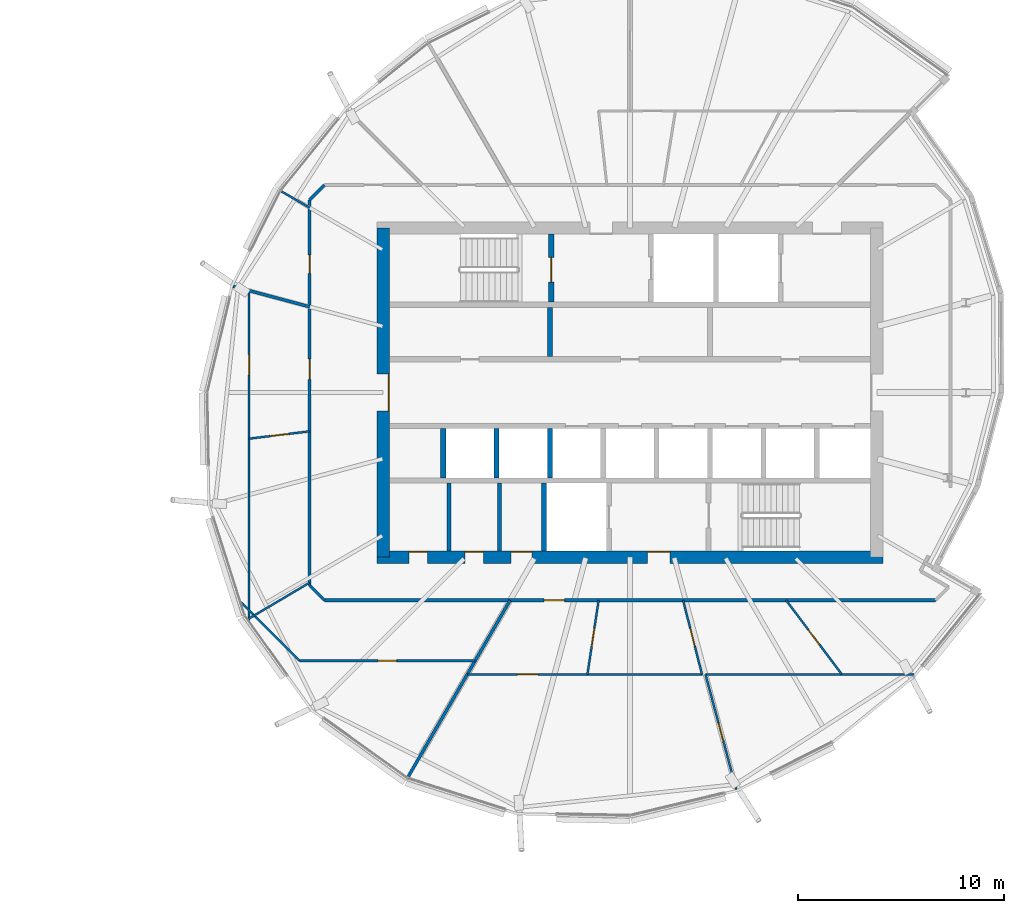
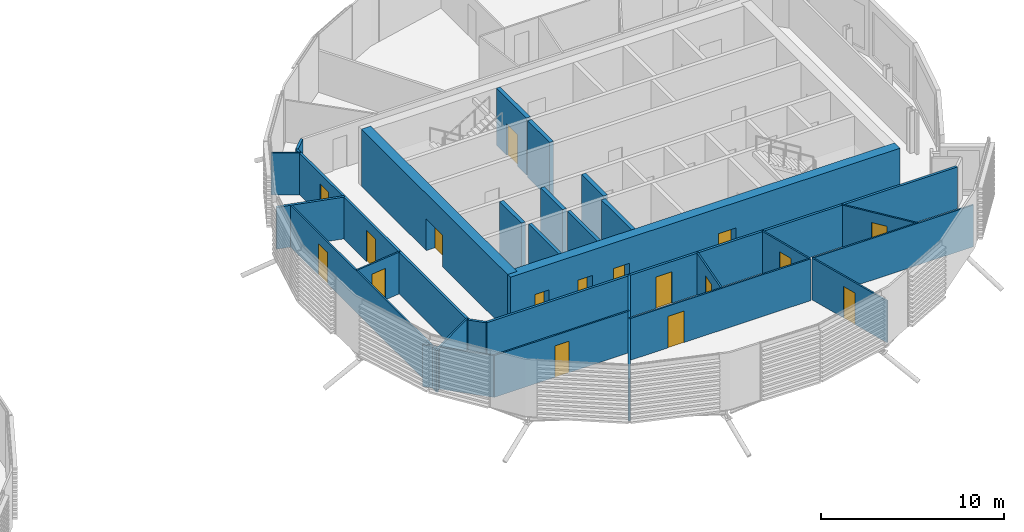
# One storey, part 22 of 38: 28 walls, 17 doors, 17 openings.
"""IFC4 building model written with IfcOpenShell, lengths in metres."""

from ifc_helpers import new_model, si_unit, direction, frame, frame_2d, origin, place, context, subcontext, project, spatial, rectangle, extrude, material, layer, layer_set, type_object, element, fill, save


model = new_model("IFC4")

# Units and contexts
model_context = context("Model", 3, precision=1e-05, world=origin(), true_north=direction((0.0, 1.0)))
body_context = subcontext(model_context, "Body", "Model", "MODEL_VIEW")
ifc_project = project(units=[si_unit("LENGTHUNIT", "METRE"), si_unit("AREAUNIT", "SQUARE_METRE"), si_unit("VOLUMEUNIT", "CUBIC_METRE"), si_unit("PLANEANGLEUNIT", "RADIAN"), si_unit("MASSUNIT", "GRAM", prefix="KILO")], contexts=[model_context])

# Site, building, storey
site_placement = place(None, origin())
site = spatial("IfcSite", under=ifc_project, at=site_placement, CompositionType="ELEMENT")
building_placement = place(site_placement, origin())
building = spatial("IfcBuilding", under=site, at=building_placement, Name="Rimbun Link Towers", CompositionType="ELEMENT")
storey_placement = place(building_placement, frame((0.0, 0.0, 185.5)))
storey = spatial("IfcBuildingStorey", under=building, at=storey_placement, Name="L45", CompositionType="ELEMENT", Elevation=185.5)

# Walls
ifc_material_1 = material(Name="Masonry blockwork", Category="masonry")
ifc_layer_1 = layer(ifc_material_1, 0.199951171875)
ifc_layer_set_1 = layer_set([ifc_layer_1], Name="Core partition 200")
wall_type_1 = type_object("IfcWallType", Name="Core partition 200", PredefinedType="PARTITIONING", material=ifc_layer_set_1)
for number, where, z_axis, x_axis, name in (
    (1, (22.949951171875, -4.39990234375, 0.0), (0.0, 0.0, 1.0), (0.0, -1.0, 0.0), "L45 T2 core wall C1"),
    (2, (25.39990234375, -4.39990234375, 0.0), (0.0, 0.0, 1.0), (0.0, -1.0, 0.0), "L45 T2 core wall C2"),
):
    element("IfcWall", number, at=place(storey_placement, frame(where, z_axis=z_axis, x_axis=x_axis)), inside=storey, type_object=wall_type_1, Name=name, PredefinedType="PARTITIONING", context=body_context, shape_type="SweptSolid", body=[
        extrude(rectangle(XDim=3.300048828125, YDim=0.199951171875, at=frame_2d((1.64990234375, 0.0))), origin(), (0.0, 0.0, 1.0), 3.800048828125),
    ])

# Wall, openings, doors
ifc_material_2 = material(Name="Concrete C60/75", Category="concrete")
ifc_layer_2 = layer(ifc_material_2, 0.60009765625)
ifc_layer_set_2 = layer_set([ifc_layer_2], Name="Core shear wall 600")
wall_type_2 = type_object("IfcWallType", Name="Core shear wall 600", PredefinedType="SHEAR", material=ifc_layer_set_2)
wall_1_placement = place(storey_placement, frame((19.449951171875, -8.0, 0.0), z_axis=(0.0, 0.0, 1.0), x_axis=(1.0, 0.0, 0.0)))
wall_1 = element("IfcWall", 3, at=wall_1_placement, inside=storey, type_object=wall_type_2, Name="L45 T2 core wall S", PredefinedType="SHEAR", context=body_context, shape_type="SweptSolid", body=[
    extrude(rectangle(XDim=24.60009765625, YDim=0.60009765625, at=frame_2d((12.300048828125, 0.0))), origin(), (0.0, 0.0, 1.0), 3.800048828125),
])
opening_1_placement = place(wall_1_placement, frame((13.14990234375, 0.0, 0.0)))
opening_1 = element("IfcOpeningElement", 4, at=opening_1_placement, cuts=wall_1, Name="Opening C2DCF01S", PredefinedType="OPENING", context=body_context, shape_type="SweptSolid", body=[
    extrude(rectangle(XDim=1.10009765625, YDim=2.10009765625, at=frame_2d((0.550048828125, 1.050048828125))), frame((0.0, 0.31005859375, 0.0), z_axis=(0.0, -1.0, 0.0), x_axis=(1.0, 0.0, 0.0)), (0.0, 0.0, 1.0), 0.6201171875),
])
opening_2_placement = place(wall_1_placement, frame((1.550048828125, 0.0, 0.0)))
opening_2 = element("IfcOpeningElement", 5, at=opening_2_placement, cuts=wall_1, Name="Opening C2DWC02S", PredefinedType="OPENING", context=body_context, shape_type="SweptSolid", body=[
    extrude(rectangle(XDim=0.89990234375, YDim=2.10009765625, at=frame_2d((0.449951171875, 1.050048828125))), frame((0.0, 0.31005859375, 0.0), z_axis=(0.0, -1.0, 0.0), x_axis=(1.0, 0.0, 0.0)), (0.0, 0.0, 1.0), 0.6201171875),
])
opening_3_placement = place(wall_1_placement, frame((4.27490234375, 0.0, 0.0)))
opening_3 = element("IfcOpeningElement", 6, at=opening_3_placement, cuts=wall_1, Name="Opening C2DWC03S", PredefinedType="OPENING", context=body_context, shape_type="SweptSolid", body=[
    extrude(rectangle(XDim=0.89990234375, YDim=2.10009765625, at=frame_2d((0.449951171875, 1.050048828125))), frame((0.0, 0.31005859375, 0.0), z_axis=(0.0, -1.0, 0.0), x_axis=(1.0, 0.0, 0.0)), (0.0, 0.0, 1.0), 0.6201171875),
])
opening_4_placement = place(wall_1_placement, frame((6.52490234375, 0.0, 0.0)))
opening_4 = element("IfcOpeningElement", 7, at=opening_4_placement, cuts=wall_1, Name="Opening C2DAW04S", PredefinedType="OPENING", context=body_context, shape_type="SweptSolid", body=[
    extrude(rectangle(XDim=1.0, YDim=2.10009765625, at=frame_2d((0.5, 1.050048828125))), frame((0.0, 0.31005859375, 0.0), z_axis=(0.0, -1.0, 0.0), x_axis=(1.0, 0.0, 0.0)), (0.0, 0.0, 1.0), 0.6201171875),
])
ifc_material_3 = material(Name="Timber", Category="wood")
door_type_1 = type_object("IfcDoorType", Name="Accessible WC door", OperationType="SINGLE_SWING_LEFT", PredefinedType="DOOR", material=ifc_material_3)
door_1_placement = place(opening_4_placement, origin())
door_1 = element("IfcDoor", 8, at=door_1_placement, inside=storey, type_object=door_type_1, Name="L45 T2 accessible wc door", OperationType="SINGLE_SWING_RIGHT", OverallHeight=2.10009765625, OverallWidth=1.0, PredefinedType="DOOR", context=body_context, shape_type="SweptSolid", body=[
    extrude(rectangle(XDim=1.0, YDim=2.10009765625, at=frame_2d((0.5, 1.050048828125))), frame((0.0, 0.2998046875, 0.0), z_axis=(0.0, -1.0, 0.0), x_axis=(1.0, 0.0, 0.0)), (0.0, 0.0, 1.0), 0.050048828125),
])
fill(opening_4, door_1)
ifc_material_4 = material(Name="Steel fire door set", Category="steel")
door_type_2 = type_object("IfcDoorType", Name="Core fire door single", OperationType="SINGLE_SWING_LEFT", PredefinedType="DOOR", material=ifc_material_4)
door_2_placement = place(opening_1_placement, origin())
door_2 = element("IfcDoor", 9, at=door_2_placement, inside=storey, type_object=door_type_2, Name="L45 T2 firefighting lobby s door", OperationType="SINGLE_SWING_LEFT", OverallHeight=2.10009765625, OverallWidth=1.10009765625, PredefinedType="DOOR", context=body_context, shape_type="SweptSolid", body=[
    extrude(rectangle(XDim=1.10009765625, YDim=2.10009765625, at=frame_2d((0.550048828125, 1.050048828125))), frame((0.0, 0.2998046875, 0.0), z_axis=(0.0, -1.0, 0.0), x_axis=(1.0, 0.0, 0.0)), (0.0, 0.0, 1.0), 0.050048828125),
])
fill(opening_1, door_2)
ifc_material_5 = material(Name="Timber", Category="wood")
door_type_3 = type_object("IfcDoorType", Name="WC door", OperationType="SINGLE_SWING_LEFT", PredefinedType="DOOR", material=ifc_material_5)
door_3_placement = place(opening_2_placement, origin())
door_3 = element("IfcDoor", 10, at=door_3_placement, inside=storey, type_object=door_type_3, Name="L45 T2 male wc door", OperationType="SINGLE_SWING_RIGHT", OverallHeight=2.10009765625, OverallWidth=0.89990234375, PredefinedType="DOOR", context=body_context, shape_type="SweptSolid", body=[
    extrude(rectangle(XDim=0.89990234375, YDim=2.10009765625, at=frame_2d((0.449951171875, 1.050048828125))), frame((0.0, 0.2998046875, 0.0), z_axis=(0.0, -1.0, 0.0), x_axis=(1.0, 0.0, 0.0)), (0.0, 0.0, 1.0), 0.050048828125),
])
fill(opening_2, door_3)
door_4_placement = place(opening_3_placement, origin())
door_4 = element("IfcDoor", 11, at=door_4_placement, inside=storey, type_object=door_type_3, Name="L45 T2 female wc door", OperationType="SINGLE_SWING_RIGHT", OverallHeight=2.10009765625, OverallWidth=0.89990234375, PredefinedType="DOOR", context=body_context, shape_type="SweptSolid", body=[
    extrude(rectangle(XDim=0.89990234375, YDim=2.10009765625, at=frame_2d((0.449951171875, 1.050048828125))), frame((0.0, 0.2998046875, 0.0), z_axis=(0.0, -1.0, 0.0), x_axis=(1.0, 0.0, 0.0)), (0.0, 0.0, 1.0), 0.050048828125),
])
fill(opening_3, door_4)

# Wall, opening, door
wall_2_placement = place(storey_placement, frame((19.75, -8.0, 0.0), z_axis=(0.0, 0.0, 1.0), x_axis=(0.0, 1.0, 0.0)))
wall_2 = element("IfcWall", 12, at=wall_2_placement, inside=storey, type_object=wall_type_2, Name="L45 T2 core wall W", PredefinedType="SHEAR", context=body_context, shape_type="SweptSolid", body=[
    extrude(rectangle(XDim=16.0, YDim=0.60009765625, at=frame_2d((8.0, 0.0))), origin(), (0.0, 0.0, 1.0), 3.800048828125),
])
opening_5_placement = place(wall_2_placement, frame((7.10009765625, 0.0, 0.0)))
opening_5 = element("IfcOpeningElement", 13, at=opening_5_placement, cuts=wall_2, Name="Opening C2DCL01W", PredefinedType="OPENING", context=body_context, shape_type="SweptSolid", body=[
    extrude(rectangle(XDim=1.800048828125, YDim=2.10009765625, at=frame_2d((0.89990234375, 1.050048828125))), frame((0.0, 0.31005859375, 0.0), z_axis=(0.0, -1.0, 0.0), x_axis=(1.0, 0.0, 0.0)), (0.0, 0.0, 1.0), 0.6201171875),
])
ifc_material_6 = material(Name="Steel fire door set", Category="steel")
door_type_4 = type_object("IfcDoorType", Name="Core lobby door double", OperationType="DOUBLE_DOOR_SINGLE_SWING", PredefinedType="DOOR", material=ifc_material_6)
door_5_placement = place(opening_5_placement, origin())
door_5 = element("IfcDoor", 14, at=door_5_placement, inside=storey, type_object=door_type_4, Name="L45 T2 lift lobby door", OperationType="DOUBLE_DOOR_SINGLE_SWING", OverallHeight=2.10009765625, OverallWidth=1.800048828125, PredefinedType="DOOR", context=body_context, shape_type="SweptSolid", body=[
    extrude(rectangle(XDim=1.800048828125, YDim=2.10009765625, at=frame_2d((0.89990234375, 1.050048828125))), frame((0.0, -0.25, 0.0), z_axis=(0.0, -1.0, 0.0), x_axis=(1.0, 0.0, 0.0)), (0.0, 0.0, 1.0), 0.050048828125),
])
fill(opening_5, door_5)

ifc_material_7 = material(Name="Plasterboard on steel stud, mineral wool", Category="steel")
ifc_layer_3 = layer(ifc_material_7, 0.14990234375)
ifc_layer_set_3 = layer_set([ifc_layer_3], Name="Corridor wall EI 30 150 mm")
wall_type_3 = type_object("IfcWallType", Name="Corridor wall EI 30 150 mm", PredefinedType="PARTITIONING", material=ifc_layer_set_3)
wall_3_placement = place(storey_placement, frame((46.603759765625, -10.094970703125, 0.0), z_axis=(0.0, 0.0, 1.0), x_axis=(-1.0, 0.0, 0.0)))
wall_3 = element("IfcWall", 15, at=wall_3_placement, inside=storey, type_object=wall_type_3, Name="Corridor wall EI 30 150 mm", PredefinedType="PARTITIONING", context=body_context, shape_type="SweptSolid", body=[
    extrude(rectangle(XDim=29.70751953125, YDim=0.14990234375, at=frame_2d((14.853759765625, 0.0))), origin(), (0.0, 0.0, 1.0), 2.7890625),
])
opening_6_placement = place(wall_3_placement, frame((18.02978515625, 0.0, 0.0)))
opening_6 = element("IfcOpeningElement", 16, at=opening_6_placement, cuts=wall_3, Name="Opening D01", PredefinedType="OPENING", context=body_context, shape_type="SweptSolid", body=[
    extrude(rectangle(XDim=1.0, YDim=2.10009765625, at=frame_2d((0.5, 1.050048828125))), frame((0.0, 0.0849609375, 0.0), z_axis=(0.0, -1.0, 0.0), x_axis=(1.0, 0.0, 0.0)), (0.0, 0.0, 1.0), 0.169921875),
])
ifc_material_8 = material(Name="Fire-resisting timber door leaf", Category="wood")
door_type_5 = type_object("IfcDoorType", Name="Fire door FD30S 1000", OperationType="NOTDEFINED", PredefinedType="DOOR", material=ifc_material_8)
door_6_placement = place(opening_6_placement, origin())
door_6 = element("IfcDoor", 17, at=door_6_placement, inside=storey, type_object=door_type_5, Name="Fire door FD30S 1000 to Tenant lobby", OperationType="SINGLE_SWING_RIGHT", OverallHeight=2.10009765625, OverallWidth=1.0, PredefinedType="DOOR", context=body_context, shape_type="SweptSolid", body=[
    extrude(rectangle(XDim=1.0, YDim=2.10009765625, at=frame_2d((0.5, 1.050048828125))), frame((0.0, 0.02490234375, 0.0), z_axis=(0.0, -1.0, 0.0), x_axis=(1.0, 0.0, 0.0)), (0.0, 0.0, 1.0), 0.050048828125),
])
fill(opening_6, door_6)

# Wall
wall_4_placement = place(storey_placement, frame((16.175048828125, -9.373779296875, 0.0), z_axis=(0.0, 0.0, 1.0), x_axis=(0.707106781187, -0.707106781187, 0.0)))
element("IfcWall", 18, at=wall_4_placement, inside=storey, type_object=wall_type_3, Name="Corridor wall EI 30 150 mm", PredefinedType="PARTITIONING", context=body_context, shape_type="SweptSolid", body=[
    extrude(rectangle(XDim=1.02001953125, YDim=0.14990234375, at=frame_2d((0.510009765625, 0.0))), origin(), (0.0, 0.0, 1.0), 2.7890625),
])

# Wall, openings, doors
wall_5_placement = place(storey_placement, frame((16.175048828125, -9.373779296875, 0.0), z_axis=(0.0, 0.0, 1.0), x_axis=(0.0, 1.0, 0.0)))
wall_5 = element("IfcWall", 19, at=wall_5_placement, inside=storey, type_object=wall_type_3, Name="Corridor wall EI 30 150 mm", PredefinedType="PARTITIONING", context=body_context, shape_type="SweptSolid", body=[
    extrude(rectangle(XDim=18.74755859375, YDim=0.14990234375, at=frame_2d((9.373779296875, 0.0))), origin(), (0.0, 0.0, 1.0), 2.7890625),
])
opening_7_placement = place(wall_5_placement, frame((15.17529296875, 0.0, 0.0)))
opening_7 = element("IfcOpeningElement", 20, at=opening_7_placement, cuts=wall_5, Name="Opening D02", PredefinedType="OPENING", context=body_context, shape_type="SweptSolid", body=[
    extrude(rectangle(XDim=0.89990234375, YDim=2.10009765625, at=frame_2d((0.449951171875, 1.050048828125))), frame((0.0, 0.0849609375, 0.0), z_axis=(0.0, -1.0, 0.0), x_axis=(1.0, 0.0, 0.0)), (0.0, 0.0, 1.0), 0.169921875),
])
opening_8_placement = place(wall_5_placement, frame((10.01904296875, 0.0, 0.0)))
opening_8 = element("IfcOpeningElement", 21, at=opening_8_placement, cuts=wall_5, Name="Opening D01", PredefinedType="OPENING", context=body_context, shape_type="SweptSolid", body=[
    extrude(rectangle(XDim=1.0, YDim=2.10009765625, at=frame_2d((0.5, 1.050048828125))), frame((0.0, 0.0849609375, 0.0), z_axis=(0.0, -1.0, 0.0), x_axis=(1.0, 0.0, 0.0)), (0.0, 0.0, 1.0), 0.169921875),
])
door_7_placement = place(opening_8_placement, origin())
door_7 = element("IfcDoor", 22, at=door_7_placement, inside=storey, type_object=door_type_5, Name="Fire door FD30S 1000 to Tenant lobby", OperationType="SINGLE_SWING_LEFT", OverallHeight=2.10009765625, OverallWidth=1.0, PredefinedType="DOOR", context=body_context, shape_type="SweptSolid", body=[
    extrude(rectangle(XDim=1.0, YDim=2.10009765625, at=frame_2d((0.5, 1.050048828125))), frame((0.0, 0.02490234375, 0.0), z_axis=(0.0, -1.0, 0.0), x_axis=(1.0, 0.0, 0.0)), (0.0, 0.0, 1.0), 0.050048828125),
])
fill(opening_8, door_7)
ifc_material_9 = material(Name="Fire-resisting timber door leaf", Category="wood")
door_type_6 = type_object("IfcDoorType", Name="Fire door FD30S 900", OperationType="NOTDEFINED", PredefinedType="DOOR", material=ifc_material_9)
door_8_placement = place(opening_7_placement, origin())
door_8 = element("IfcDoor", 23, at=door_8_placement, inside=storey, type_object=door_type_6, Name="Fire door FD30S 900 to Meeting room", OperationType="SINGLE_SWING_RIGHT", OverallHeight=2.10009765625, OverallWidth=0.89990234375, PredefinedType="DOOR", context=body_context, shape_type="SweptSolid", body=[
    extrude(rectangle(XDim=0.89990234375, YDim=2.10009765625, at=frame_2d((0.449951171875, 1.050048828125))), frame((0.0, 0.02490234375, 0.0), z_axis=(0.0, -1.0, 0.0), x_axis=(1.0, 0.0, 0.0)), (0.0, 0.0, 1.0), 0.050048828125),
])
fill(opening_7, door_8)

# Walls
wall_6_placement = place(storey_placement, frame((16.896240234375, 10.094970703125, 0.0), z_axis=(0.0, 0.0, 1.0), x_axis=(-0.707106781187, -0.707106781187, 0.0)))
element("IfcWall", 24, at=wall_6_placement, inside=storey, type_object=wall_type_3, Name="Corridor wall EI 30 150 mm", PredefinedType="PARTITIONING", context=body_context, shape_type="SweptSolid", body=[
    extrude(rectangle(XDim=1.02001953125, YDim=0.14990234375, at=frame_2d((0.510009765625, 0.0))), origin(), (0.0, 0.0, 1.0), 2.7890625),
])
ifc_material_10 = material(Name="Plasterboard on steel stud", Category="steel")
ifc_layer_4 = layer(ifc_material_10, 0.10009765625)
ifc_layer_set_4 = layer_set([ifc_layer_4], Name="Plasterboard partition 100 mm")
wall_type_4 = type_object("IfcWallType", Name="Plasterboard partition 100 mm", PredefinedType="PARTITIONING", material=ifc_layer_set_4)
wall_7_placement = place(storey_placement, frame((14.777099609375, 9.79931640625, 0.0), z_axis=(0.0, 0.0, 1.0), x_axis=(0.866019355129, -0.500010476433, 0.0)))
element("IfcWall", 25, at=wall_7_placement, inside=storey, type_object=wall_type_4, Name="Plasterboard partition 100 mm", PredefinedType="PARTITIONING", context=body_context, shape_type="SweptSolid", body=[
    extrude(rectangle(XDim=1.6142578125, YDim=0.10009765625, at=frame_2d((0.80712890625, 0.0))), origin(), (0.0, 0.0, 1.0), 2.7890625),
])

# Wall, opening, door
wall_8_placement = place(storey_placement, frame((16.175048828125, -1.8828125, 0.0), z_axis=(0.0, 0.0, 1.0), x_axis=(-0.992779371336, -0.119954657473, 0.0)))
wall_8 = element("IfcWall", 26, at=wall_8_placement, inside=storey, type_object=wall_type_4, Name="Plasterboard partition 100 mm", PredefinedType="PARTITIONING", context=body_context, shape_type="SweptSolid", body=[
    extrude(rectangle(XDim=2.96142578125, YDim=0.10009765625, at=frame_2d((1.480712890625, 0.0))), origin(), (0.0, 0.0, 1.0), 2.7890625),
])
opening_9_placement = place(wall_8_placement, frame((1.03076171875, 0.0, 0.0)))
opening_9 = element("IfcOpeningElement", 27, at=opening_9_placement, cuts=wall_8, Name="Opening D04", PredefinedType="OPENING", context=body_context, shape_type="SweptSolid", body=[
    extrude(rectangle(XDim=0.89990234375, YDim=2.10009765625, at=frame_2d((0.449951171875, 1.050048828125))), frame((0.0, 0.06005859375, 0.0), z_axis=(0.0, -1.0, 0.0), x_axis=(1.0, 0.0, 0.0)), (0.0, 0.0, 1.0), 0.1201171875),
])
ifc_material_11 = material(Name="Timber door leaf", Category="wood")
door_type_7 = type_object("IfcDoorType", Name="Flush door 900", OperationType="NOTDEFINED", PredefinedType="DOOR", material=ifc_material_11)
door_9_placement = place(opening_9_placement, origin())
door_9 = element("IfcDoor", 28, at=door_9_placement, inside=storey, type_object=door_type_7, Name="Flush door 900 to Data room", OperationType="SINGLE_SWING_LEFT", OverallHeight=2.10009765625, OverallWidth=0.89990234375, PredefinedType="DOOR", context=body_context, shape_type="SweptSolid", body=[
    extrude(rectangle(XDim=0.89990234375, YDim=2.10009765625, at=frame_2d((0.449951171875, 1.050048828125))), frame((0.0, 0.02490234375, 0.0), z_axis=(0.0, -1.0, 0.0), x_axis=(1.0, 0.0, 0.0)), (0.0, 0.0, 1.0), 0.050048828125),
])
fill(opening_9, door_9)

wall_9_placement = place(storey_placement, frame((13.235107421875, -11.111328125, 0.0), z_axis=(0.0, 0.0, 1.0), x_axis=(0.0, 1.0, 0.0)))
wall_9 = element("IfcWall", 29, at=wall_9_placement, inside=storey, type_object=wall_type_4, Name="Plasterboard partition 100 mm", PredefinedType="PARTITIONING", context=body_context, shape_type="SweptSolid", body=[
    extrude(rectangle(XDim=16.072265625, YDim=0.10009765625, at=frame_2d((8.0361328125, 0.0))), origin(), (0.0, 0.0, 1.0), 2.7890625),
])
opening_10_placement = place(wall_9_placement, frame((11.9580078125, 0.0, 0.0)))
opening_10 = element("IfcOpeningElement", 30, at=opening_10_placement, cuts=wall_9, Name="Opening D03", PredefinedType="OPENING", context=body_context, shape_type="SweptSolid", body=[
    extrude(rectangle(XDim=1.0, YDim=2.10009765625, at=frame_2d((0.5, 1.050048828125))), frame((0.0, 0.06005859375, 0.0), z_axis=(0.0, -1.0, 0.0), x_axis=(1.0, 0.0, 0.0)), (0.0, 0.0, 1.0), 0.1201171875),
])
ifc_material_12 = material(Name="Timber door leaf", Category="wood")
door_type_8 = type_object("IfcDoorType", Name="Flush door 1000", OperationType="NOTDEFINED", PredefinedType="DOOR", material=ifc_material_12)
door_10_placement = place(opening_10_placement, origin())
door_10 = element("IfcDoor", 31, at=door_10_placement, inside=storey, type_object=door_type_8, Name="Flush door 1000 to Trading floor", OperationType="SINGLE_SWING_RIGHT", OverallHeight=2.10009765625, OverallWidth=1.0, PredefinedType="DOOR", context=body_context, shape_type="SweptSolid", body=[
    extrude(rectangle(XDim=1.0, YDim=2.10009765625, at=frame_2d((0.5, 1.050048828125))), frame((0.0, 0.02490234375, 0.0), z_axis=(0.0, -1.0, 0.0), x_axis=(1.0, 0.0, 0.0)), (0.0, 0.0, 1.0), 0.050048828125),
])
fill(opening_10, door_10)

# Walls
wall_10_placement = place(storey_placement, frame((13.1640625, -11.023193359375, 0.0), z_axis=(0.0, 0.0, 1.0), x_axis=(0.86009095865, 0.510140708872, 0.0)))
element("IfcWall", 32, at=wall_10_placement, inside=storey, type_object=wall_type_4, Name="Plasterboard partition 100 mm", PredefinedType="PARTITIONING", context=body_context, shape_type="SweptSolid", body=[
    extrude(rectangle(XDim=3.500732421875, YDim=0.10009765625, at=frame_2d((1.75048828125, 0.0))), origin(), (0.0, 0.0, 1.0), 2.7890625),
])
wall_11_placement = place(storey_placement, frame((12.8203125, -10.177001953125, 0.0), z_axis=(0.0, 0.0, 1.0), x_axis=(0.707136982001, -0.707076579082, 0.0)))
element("IfcWall", 33, at=wall_11_placement, inside=storey, type_object=wall_type_4, Name="Plasterboard partition 100 mm", PredefinedType="PARTITIONING", context=body_context, shape_type="SweptSolid", body=[
    extrude(rectangle(XDim=4.041748046875, YDim=0.10009765625, at=frame_2d((2.02099609375, 0.0))), origin(), (0.0, 0.0, 1.0), 2.7890625),
])

# Wall, opening, door
wall_12_placement = place(storey_placement, frame((15.678466796875, -13.034912109375, 0.0), z_axis=(0.0, 0.0, 1.0), x_axis=(1.0, 0.0, 0.0)))
wall_12 = element("IfcWall", 34, at=wall_12_placement, inside=storey, type_object=wall_type_4, Name="Plasterboard partition 100 mm", PredefinedType="PARTITIONING", context=body_context, shape_type="SweptSolid", body=[
    extrude(rectangle(XDim=8.545654296875, YDim=0.10009765625, at=frame_2d((4.27294921875, 0.0))), origin(), (0.0, 0.0, 1.0), 2.7890625),
])
opening_11_placement = place(wall_12_placement, frame((3.822998046875, 0.0, 0.0)))
opening_11 = element("IfcOpeningElement", 35, at=opening_11_placement, cuts=wall_12, Name="Opening D04", PredefinedType="OPENING", context=body_context, shape_type="SweptSolid", body=[
    extrude(rectangle(XDim=0.89990234375, YDim=2.10009765625, at=frame_2d((0.449951171875, 1.050048828125))), frame((0.0, 0.06005859375, 0.0), z_axis=(0.0, -1.0, 0.0), x_axis=(1.0, 0.0, 0.0)), (0.0, 0.0, 1.0), 0.1201171875),
])
door_11_placement = place(opening_11_placement, origin())
door_11 = element("IfcDoor", 36, at=door_11_placement, inside=storey, type_object=door_type_7, Name="Flush door 900 to Communications room", OperationType="SINGLE_SWING_LEFT", OverallHeight=2.10009765625, OverallWidth=0.89990234375, PredefinedType="DOOR", context=body_context, shape_type="SweptSolid", body=[
    extrude(rectangle(XDim=0.89990234375, YDim=2.10009765625, at=frame_2d((0.449951171875, 1.050048828125))), frame((0.0, 0.02490234375, 0.0), z_axis=(0.0, -1.0, 0.0), x_axis=(1.0, 0.0, 0.0)), (0.0, 0.0, 1.0), 0.050048828125),
])
fill(opening_11, door_11)

wall_13_placement = place(storey_placement, frame((30.22607421875, -10.094970703125, 0.0), z_axis=(0.0, 0.0, 1.0), x_axis=(-0.14926506242, -0.988797219424, 0.0)))
wall_13 = element("IfcWall", 37, at=wall_13_placement, inside=storey, type_object=wall_type_4, Name="Plasterboard partition 100 mm", PredefinedType="PARTITIONING", context=body_context, shape_type="SweptSolid", body=[
    extrude(rectangle(XDim=3.640869140625, YDim=0.10009765625, at=frame_2d((1.8203125, 0.0))), origin(), (0.0, 0.0, 1.0), 2.7890625),
])
opening_12_placement = place(wall_13_placement, frame((1.370361328125, 0.0, 0.0)))
opening_12 = element("IfcOpeningElement", 38, at=opening_12_placement, cuts=wall_13, Name="Opening D04", PredefinedType="OPENING", context=body_context, shape_type="SweptSolid", body=[
    extrude(rectangle(XDim=0.89990234375, YDim=2.10009765625, at=frame_2d((0.449951171875, 1.050048828125))), frame((0.0, 0.06005859375, 0.0), z_axis=(0.0, -1.0, 0.0), x_axis=(1.0, 0.0, 0.0)), (0.0, 0.0, 1.0), 0.1201171875),
])
door_12_placement = place(opening_12_placement, origin())
door_12 = element("IfcDoor", 39, at=door_12_placement, inside=storey, type_object=door_type_7, Name="Flush door 900 to Huddle room", OperationType="SINGLE_SWING_LEFT", OverallHeight=2.10009765625, OverallWidth=0.89990234375, PredefinedType="DOOR", context=body_context, shape_type="SweptSolid", body=[
    extrude(rectangle(XDim=0.89990234375, YDim=2.10009765625, at=frame_2d((0.449951171875, 1.050048828125))), frame((0.0, 0.02490234375, 0.0), z_axis=(0.0, -1.0, 0.0), x_axis=(1.0, 0.0, 0.0)), (0.0, 0.0, 1.0), 0.050048828125),
])
fill(opening_12, door_12)

wall_14_placement = place(storey_placement, frame((35.2822265625, -13.695068359375, 0.0), z_axis=(0.0, 0.0, 1.0), x_axis=(-1.0, 0.0, 0.0)))
wall_14 = element("IfcWall", 40, at=wall_14_placement, inside=storey, type_object=wall_type_4, Name="Plasterboard partition 100 mm", PredefinedType="PARTITIONING", context=body_context, shape_type="SweptSolid", body=[
    extrude(rectangle(XDim=11.43896484375, YDim=0.10009765625, at=frame_2d((5.719482421875, 0.0))), origin(), (0.0, 0.0, 1.0), 2.7890625),
])
opening_13_placement = place(wall_14_placement, frame((8.004150390625, 0.0, 0.0)))
opening_13 = element("IfcOpeningElement", 41, at=opening_13_placement, cuts=wall_14, Name="Opening D03", PredefinedType="OPENING", context=body_context, shape_type="SweptSolid", body=[
    extrude(rectangle(XDim=1.0, YDim=2.10009765625, at=frame_2d((0.5, 1.050048828125))), frame((0.0, 0.06005859375, 0.0), z_axis=(0.0, -1.0, 0.0), x_axis=(1.0, 0.0, 0.0)), (0.0, 0.0, 1.0), 0.1201171875),
])
door_13_placement = place(opening_13_placement, origin())
door_13 = element("IfcDoor", 42, at=door_13_placement, inside=storey, type_object=door_type_8, Name="Flush door 1000 to Open office", OperationType="SINGLE_SWING_RIGHT", OverallHeight=2.10009765625, OverallWidth=1.0, PredefinedType="DOOR", context=body_context, shape_type="SweptSolid", body=[
    extrude(rectangle(XDim=1.0, YDim=2.10009765625, at=frame_2d((0.5, 1.050048828125))), frame((0.0, 0.02490234375, 0.0), z_axis=(0.0, -1.0, 0.0), x_axis=(1.0, 0.0, 0.0)), (0.0, 0.0, 1.0), 0.050048828125),
])
fill(opening_13, door_13)

wall_15_placement = place(storey_placement, frame((34.331787109375, -10.094970703125, 0.0), z_axis=(0.0, 0.0, 1.0), x_axis=(0.247757243211, -0.968822144894, 0.0)))
wall_15 = element("IfcWall", 43, at=wall_15_placement, inside=storey, type_object=wall_type_4, Name="Plasterboard partition 100 mm", PredefinedType="PARTITIONING", context=body_context, shape_type="SweptSolid", body=[
    extrude(rectangle(XDim=3.716064453125, YDim=0.10009765625, at=frame_2d((1.85791015625, 0.0))), origin(), (0.0, 0.0, 1.0), 2.7890625),
])
opening_14_placement = place(wall_15_placement, frame((1.407958984375, 0.0, 0.0)))
opening_14 = element("IfcOpeningElement", 44, at=opening_14_placement, cuts=wall_15, Name="Opening D04", PredefinedType="OPENING", context=body_context, shape_type="SweptSolid", body=[
    extrude(rectangle(XDim=0.89990234375, YDim=2.10009765625, at=frame_2d((0.449951171875, 1.050048828125))), frame((0.0, 0.06005859375, 0.0), z_axis=(0.0, -1.0, 0.0), x_axis=(1.0, 0.0, 0.0)), (0.0, 0.0, 1.0), 0.1201171875),
])
door_14_placement = place(opening_14_placement, origin())
door_14 = element("IfcDoor", 45, at=door_14_placement, inside=storey, type_object=door_type_7, Name="Flush door 900 to Huddle room", OperationType="SINGLE_SWING_RIGHT", OverallHeight=2.10009765625, OverallWidth=0.89990234375, PredefinedType="DOOR", context=body_context, shape_type="SweptSolid", body=[
    extrude(rectangle(XDim=0.89990234375, YDim=2.10009765625, at=frame_2d((0.449951171875, 1.050048828125))), frame((0.0, 0.02490234375, 0.0), z_axis=(0.0, -1.0, 0.0), x_axis=(1.0, 0.0, 0.0)), (0.0, 0.0, 1.0), 0.050048828125),
])
fill(opening_14, door_14)

wall_16_placement = place(storey_placement, frame((39.3427734375, -10.094970703125, 0.0), z_axis=(0.0, 0.0, 1.0), x_axis=(0.601057423131, -0.79920583963, 0.0)))
wall_16 = element("IfcWall", 46, at=wall_16_placement, inside=storey, type_object=wall_type_4, Name="Plasterboard partition 100 mm", PredefinedType="PARTITIONING", context=body_context, shape_type="SweptSolid", body=[
    extrude(rectangle(XDim=4.504638671875, YDim=0.10009765625, at=frame_2d((2.25244140625, 0.0))), origin(), (0.0, 0.0, 1.0), 2.7890625),
])
opening_15_placement = place(wall_16_placement, frame((1.80224609375, 0.0, 0.0)))
opening_15 = element("IfcOpeningElement", 47, at=opening_15_placement, cuts=wall_16, Name="Opening D04", PredefinedType="OPENING", context=body_context, shape_type="SweptSolid", body=[
    extrude(rectangle(XDim=0.89990234375, YDim=2.10009765625, at=frame_2d((0.449951171875, 1.050048828125))), frame((0.0, 0.06005859375, 0.0), z_axis=(0.0, -1.0, 0.0), x_axis=(1.0, 0.0, 0.0)), (0.0, 0.0, 1.0), 0.1201171875),
])
door_15_placement = place(opening_15_placement, origin())
door_15 = element("IfcDoor", 48, at=door_15_placement, inside=storey, type_object=door_type_7, Name="Flush door 900 to Pantry", OperationType="SINGLE_SWING_LEFT", OverallHeight=2.10009765625, OverallWidth=0.89990234375, PredefinedType="DOOR", context=body_context, shape_type="SweptSolid", body=[
    extrude(rectangle(XDim=0.89990234375, YDim=2.10009765625, at=frame_2d((0.449951171875, 1.050048828125))), frame((0.0, 0.02490234375, 0.0), z_axis=(0.0, -1.0, 0.0), x_axis=(1.0, 0.0, 0.0)), (0.0, 0.0, 1.0), 0.050048828125),
])
fill(opening_15, door_15)

# Wall
wall_17_placement = place(storey_placement, frame((35.41943359375, -13.695068359375, 0.0), z_axis=(0.0, 0.0, 1.0), x_axis=(1.0, 0.0, 0.0)))
element("IfcWall", 49, at=wall_17_placement, inside=storey, type_object=wall_type_4, Name="Plasterboard partition 100 mm", PredefinedType="PARTITIONING", context=body_context, shape_type="SweptSolid", body=[
    extrude(rectangle(XDim=10.150390625, YDim=0.10009765625, at=frame_2d((5.0751953125, 0.0))), origin(), (0.0, 0.0, 1.0), 2.7890625),
])

# Wall, opening, door
wall_18_placement = place(storey_placement, frame((35.41943359375, -13.695068359375, 0.0), z_axis=(0.0, 0.0, 1.0), x_axis=(0.258823048205, -0.965924753652, 0.0)))
wall_18 = element("IfcWall", 50, at=wall_18_placement, inside=storey, type_object=wall_type_4, Name="Plasterboard partition 100 mm", PredefinedType="PARTITIONING", context=body_context, shape_type="SweptSolid", body=[
    extrude(rectangle(XDim=5.80029296875, YDim=0.10009765625, at=frame_2d((2.900146484375, 0.0))), origin(), (0.0, 0.0, 1.0), 2.7890625),
])
opening_16_placement = place(wall_18_placement, frame((2.4501953125, 0.0, 0.0)))
opening_16 = element("IfcOpeningElement", 51, at=opening_16_placement, cuts=wall_18, Name="Opening D04", PredefinedType="OPENING", context=body_context, shape_type="SweptSolid", body=[
    extrude(rectangle(XDim=0.89990234375, YDim=2.10009765625, at=frame_2d((0.449951171875, 1.050048828125))), frame((0.0, 0.06005859375, 0.0), z_axis=(0.0, -1.0, 0.0), x_axis=(1.0, 0.0, 0.0)), (0.0, 0.0, 1.0), 0.1201171875),
])
door_16_placement = place(opening_16_placement, origin())
door_16 = element("IfcDoor", 52, at=door_16_placement, inside=storey, type_object=door_type_7, Name="Flush door 900 to Project room", OperationType="SINGLE_SWING_LEFT", OverallHeight=2.10009765625, OverallWidth=0.89990234375, PredefinedType="DOOR", context=body_context, shape_type="SweptSolid", body=[
    extrude(rectangle(XDim=0.89990234375, YDim=2.10009765625, at=frame_2d((0.449951171875, 1.050048828125))), frame((0.0, 0.02490234375, 0.0), z_axis=(0.0, -1.0, 0.0), x_axis=(1.0, 0.0, 0.0)), (0.0, 0.0, 1.0), 0.050048828125),
])
fill(opening_16, door_16)

# Walls
ifc_material_13 = material(Name="Concrete C60/75", Category="concrete")
ifc_layer_5 = layer(ifc_material_13, 0.25)
ifc_layer_set_5 = layer_set([ifc_layer_5], Name="Shaft wall 250")
wall_type_5 = type_object("IfcWallType", Name="Shaft wall 250", PredefinedType="SHEAR", material=ifc_layer_set_5)
for number, where, z_axis, x_axis, name in (
    (53, (27.8583984375, 1.75, 0.0), (0.0, 0.0, 1.0), (0.0, 1.0, 0.0), "L45 T2 core wall DN2"),
    (54, (22.66943359375, -4.14990234375, 0.0), (0.0, 0.0, 1.0), (0.0, 1.0, 0.0), "L45 T2 core wall DS0"),
    (55, (25.263916015625, -4.14990234375, 0.0), (0.0, 0.0, 1.0), (0.0, 1.0, 0.0), "L45 T2 core wall DS1"),
    (56, (27.8583984375, -4.14990234375, 0.0), (0.0, 0.0, 1.0), (0.0, 1.0, 0.0), "L45 T2 core wall DS2"),
):
    element("IfcWall", number, at=place(storey_placement, frame(where, z_axis=z_axis, x_axis=x_axis)), inside=storey, type_object=wall_type_5, Name=name, PredefinedType="SHEAR", context=body_context, shape_type="SweptSolid", body=[
        extrude(rectangle(XDim=2.39990234375, YDim=0.25, at=frame_2d((1.199951171875, 0.0))), origin(), (0.0, 0.0, 1.0), 3.800048828125),
    ])

# Wall, opening, door
wall_19_placement = place(storey_placement, frame((27.925048828125, 4.39990234375, 0.0), z_axis=(0.0, 0.0, 1.0), x_axis=(0.0, 1.0, 0.0)))
wall_19 = element("IfcWall", 57, at=wall_19_placement, inside=storey, type_object=wall_type_5, Name="L45 T2 core wall A1", PredefinedType="SHEAR", context=body_context, shape_type="SweptSolid", body=[
    extrude(rectangle(XDim=3.300048828125, YDim=0.25, at=frame_2d((1.64990234375, 0.0))), origin(), (0.0, 0.0, 1.0), 3.800048828125),
])
opening_17_placement = place(wall_19_placement, frame((0.97509765625, 0.0, 0.0)))
opening_17 = element("IfcOpeningElement", 58, at=opening_17_placement, cuts=wall_19, Name="Opening C2DST01A1", PredefinedType="OPENING", context=body_context, shape_type="SweptSolid", body=[
    extrude(rectangle(XDim=1.199951171875, YDim=2.10009765625, at=frame_2d((0.60009765625, 1.050048828125))), frame((0.0, 0.135009765625, 0.0), z_axis=(0.0, -1.0, 0.0), x_axis=(1.0, 0.0, 0.0)), (0.0, 0.0, 1.0), 0.27001953125),
])
ifc_material_14 = material(Name="Steel fire door set", Category="steel")
door_type_9 = type_object("IfcDoorType", Name="Stair door", OperationType="SINGLE_SWING_LEFT", PredefinedType="DOOR", material=ifc_material_14)
door_17_placement = place(opening_17_placement, origin())
door_17 = element("IfcDoor", 59, at=door_17_placement, inside=storey, type_object=door_type_9, Name="L45 T2 stair a door", OperationType="SINGLE_SWING_LEFT", OverallHeight=2.10009765625, OverallWidth=1.199951171875, PredefinedType="DOOR", context=body_context, shape_type="SweptSolid", body=[
    extrude(rectangle(XDim=1.199951171875, YDim=2.10009765625, at=frame_2d((0.60009765625, 1.050048828125))), frame((0.0, 0.02490234375, 0.0), z_axis=(0.0, -1.0, 0.0), x_axis=(1.0, 0.0, 0.0)), (0.0, 0.0, 1.0), 0.050048828125),
])
fill(opening_17, door_17)

# Walls
wall_20_placement = place(storey_placement, frame((27.574951171875, -4.39990234375, 0.0), z_axis=(0.0, 0.0, 1.0), x_axis=(0.0, -1.0, 0.0)))
element("IfcWall", 60, at=wall_20_placement, inside=storey, type_object=wall_type_5, Name="L45 T2 core wall B3", PredefinedType="SHEAR", context=body_context, shape_type="SweptSolid", body=[
    extrude(rectangle(XDim=3.300048828125, YDim=0.25, at=frame_2d((1.64990234375, 0.0))), origin(), (0.0, 0.0, 1.0), 3.800048828125),
])
ifc_material_15 = material(Name="Plasterboard on steel stud, mineral wool", Category="steel")
ifc_layer_6 = layer(ifc_material_15, 0.14990234375)
ifc_layer_set_6 = layer_set([ifc_layer_6], Name="Tenancy separation wall EI 60 150 mm")
wall_type_6 = type_object("IfcWallType", Name="Tenancy separation wall EI 60 150 mm", PredefinedType="PARTITIONING", material=ifc_layer_set_6)
wall_21_placement = place(storey_placement, frame((16.175048828125, 4.17333984375, 0.0), z_axis=(0.0, 0.0, 1.0), x_axis=(-0.965936741728, 0.258778304693, 0.0)))
element("IfcWall", 61, at=wall_21_placement, inside=storey, type_object=wall_type_6, Name="Tenancy separation wall EI 60 150 mm", PredefinedType="PARTITIONING", context=body_context, shape_type="SweptSolid", body=[
    extrude(rectangle(XDim=3.85400390625, YDim=0.14990234375, at=frame_2d((1.927001953125, 0.0))), origin(), (0.0, 0.0, 1.0), 2.7890625),
])
wall_22_placement = place(storey_placement, frame((25.921630859375, -10.094970703125, 0.0), z_axis=(0.0, 0.0, 1.0), x_axis=(-0.499998264499, -0.866026405774, 0.0)))
element("IfcWall", 62, at=wall_22_placement, inside=storey, type_object=wall_type_6, Name="Tenancy separation wall EI 60 150 mm", PredefinedType="PARTITIONING", context=body_context, shape_type="SweptSolid", body=[
    extrude(rectangle(XDim=9.9609375, YDim=0.14990234375, at=frame_2d((4.98046875, 0.0))), origin(), (0.0, 0.0, 1.0), 2.7890625),
])

save(model, "model.ifc")
